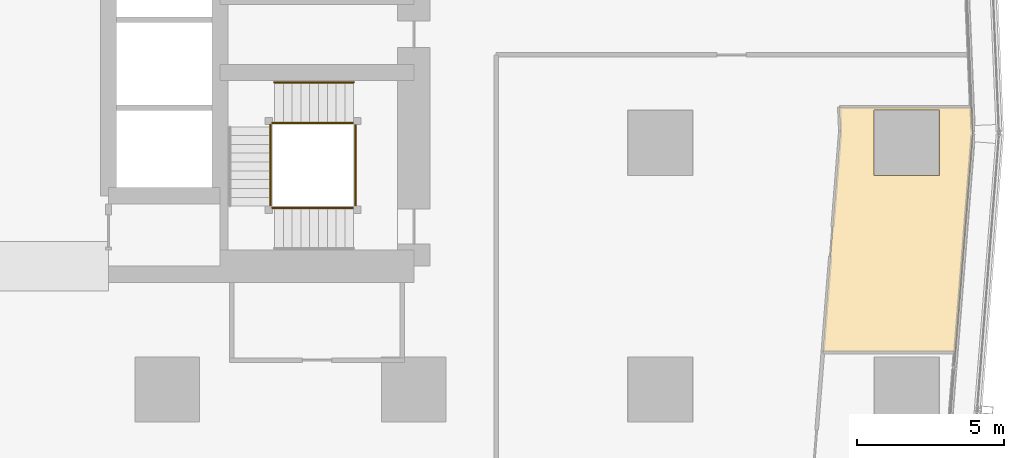
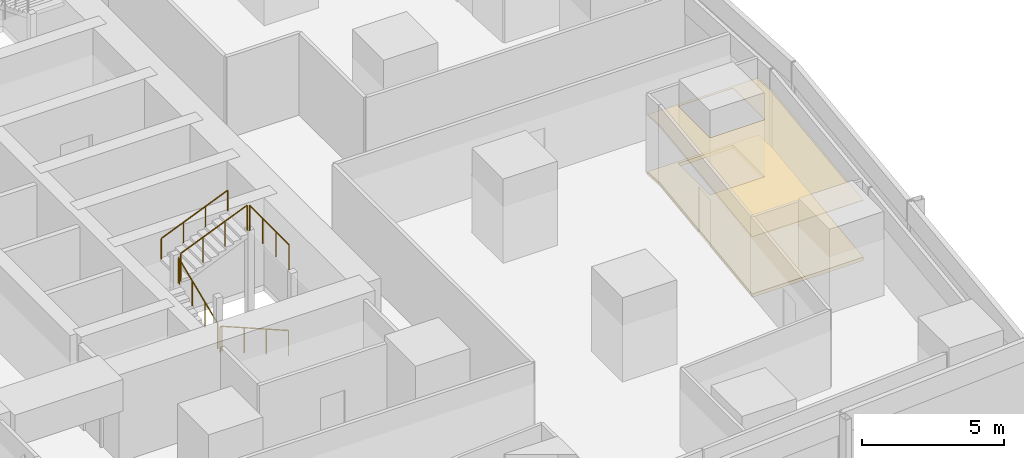
# One storey, part 40 of 45: 8 railings, 2 coverings.
"""IFC4 building model written with IfcOpenShell, lengths in metres."""

from ifc_helpers import new_model, si_unit, direction, frame, origin, origin_2d, place, context, subcontext, project, spatial, polyline, circle, outline, extrude, material, layer, layer_set, type_object, element, save


model = new_model("IFC4")

# Units and contexts
model_context = context("Model", 3, precision=1e-05, world=origin(), true_north=direction((0.0, 1.0)))
body_context = subcontext(model_context, "Body", "Model", "MODEL_VIEW")
ifc_project = project(units=[si_unit("LENGTHUNIT", "METRE"), si_unit("AREAUNIT", "SQUARE_METRE"), si_unit("VOLUMEUNIT", "CUBIC_METRE"), si_unit("PLANEANGLEUNIT", "RADIAN"), si_unit("MASSUNIT", "GRAM", prefix="KILO")], contexts=[model_context])

# Site, building, storey
site_placement = place(None, origin())
site = spatial("IfcSite", under=ifc_project, at=site_placement, CompositionType="ELEMENT")
building_placement = place(site_placement, origin())
building = spatial("IfcBuilding", under=site, at=building_placement, Name="Rekha Terrace Tower", CompositionType="ELEMENT")
storey_placement = place(building_placement, frame((0.0, 0.0, 32.89990234375)))
storey = spatial("IfcBuildingStorey", under=building, at=storey_placement, Name="L07", CompositionType="ELEMENT", Elevation=32.89990234375)

# Covering
ifc_material_1 = material(Name="Mineral fibre tile in exposed grid", Category="finish")
ifc_layer_1 = layer(ifc_material_1, 0.02001953125)
ifc_layer_set_1 = layer_set([ifc_layer_1], Name="Mineral fibre tile in exposed grid")
covering_type_1 = type_object("IfcCoveringType", Name="CL1 600x1200 office grid ceiling", PredefinedType="CEILING", material=ifc_layer_set_1)
covering_1_placement = place(storey_placement, frame((0.0, 0.0, 2.580078125)))
element("IfcCovering", 1, at=covering_1_placement, inside=storey, type_object=covering_type_1, Name="Ceiling L07-05", PredefinedType="CEILING", context=body_context, shape_type="SweptSolid", body=[
    extrude(outline(polyline([(64.929931640625, 25.60107421875), (64.333984375, 18.080078125), (68.847900390625, 18.080078125), (69.43798828125, 25.51904296875), (69.39892578125, 26.419921875), (64.89501953125, 26.419921875), (64.929931640625, 25.60107421875)]), holes=[polyline([(68.31494140625, 24.0849609375), (66.0849609375, 24.0849609375), (66.0849609375, 26.31494140625), (68.31494140625, 26.31494140625), (68.31494140625, 24.0849609375)])]), origin(), (0.0, 0.0, 1.0), 0.02001953125),
])

# Railings
ifc_material_2 = material(Name="Stainless steel balustrade", Category="steel")
railing_type_1 = type_object("IfcRailingType", Name="GR1 1100 stair guard", PredefinedType="GUARDRAIL", material=ifc_material_2)
railing_1_placement = place(storey_placement, frame((48.35009765625, 22.989990234375, 0.125)))
element("IfcRailing", 2, at=railing_1_placement, inside=storey, type_object=railing_type_1, Name="Guard ST3 L07 flight 1", PredefinedType="GUARDRAIL", context=body_context, shape_type="SweptSolid", body=[
    extrude(circle(Radius=0.02392578125, at=origin_2d()), frame((0.0, 0.0, 1.076171875), z_axis=(-0.923086799901, 0.0, 0.38459167938), x_axis=(0.0, -1.0, 0.0)), (0.0, 0.0, 1.0), 2.92529296875),
    extrude(circle(Radius=0.02099609375, at=origin_2d()), origin(), (0.0, 0.0, 1.0), 1.052001953125),
    extrude(circle(Radius=0.02099609375, at=origin_2d()), frame((-0.900146484375, 0.0, 0.375)), (0.0, 0.0, 1.0), 1.052001953125),
    extrude(circle(Radius=0.02099609375, at=origin_2d()), frame((-1.800048828125, 0.0, 0.75)), (0.0, 0.0, 1.0), 1.052001953125),
    extrude(circle(Radius=0.02099609375, at=origin_2d()), frame((-2.7001953125, 0.0, 1.125)), (0.0, 0.0, 1.0), 1.052001953125),
])
railing_2_placement = place(storey_placement, frame((45.514892578125, 23.050048828125, 1.375)))
element("IfcRailing", 3, at=railing_2_placement, inside=storey, type_object=railing_type_1, Name="Guard ST3 L07 flight 2", PredefinedType="GUARDRAIL", context=body_context, shape_type="SweptSolid", body=[
    extrude(circle(Radius=0.02392578125, at=origin_2d()), frame((0.0, 0.0, 1.076171875), z_axis=(0.0, 0.923074453586, 0.384621311341), x_axis=(-1.0, 0.0, 0.0)), (0.0, 0.0, 1.0), 2.925048828125),
    extrude(circle(Radius=0.02099609375, at=origin_2d()), origin(), (0.0, 0.0, 1.0), 1.052001953125),
    extrude(circle(Radius=0.02099609375, at=origin_2d()), frame((0.0, 0.89990234375, 0.375)), (0.0, 0.0, 1.0), 1.052001953125),
    extrude(circle(Radius=0.02099609375, at=origin_2d()), frame((0.0, 1.800048828125, 0.75)), (0.0, 0.0, 1.0), 1.052001953125),
    extrude(circle(Radius=0.02099609375, at=origin_2d()), frame((0.0, 2.699951171875, 1.125)), (0.0, 0.0, 1.0), 1.052001953125),
])
railing_3_placement = place(storey_placement, frame((45.64990234375, 25.885009765625, 2.625)))
element("IfcRailing", 4, at=railing_3_placement, inside=storey, type_object=railing_type_1, Name="Guard ST3 L07 flight 3", PredefinedType="GUARDRAIL", context=body_context, shape_type="SweptSolid", body=[
    extrude(circle(Radius=0.02392578125, at=origin_2d()), frame((0.0, 0.0, 1.076171875), z_axis=(0.923086799901, 0.0, 0.38459167938), x_axis=(0.0, 1.0, 0.0)), (0.0, 0.0, 1.0), 2.92529296875),
    extrude(circle(Radius=0.02099609375, at=origin_2d()), origin(), (0.0, 0.0, 1.0), 1.052001953125),
    extrude(circle(Radius=0.02099609375, at=origin_2d()), frame((0.900146484375, 0.0, 0.375)), (0.0, 0.0, 1.0), 1.052001953125),
    extrude(circle(Radius=0.02099609375, at=origin_2d()), frame((1.800048828125, 0.0, 0.75)), (0.0, 0.0, 1.0), 1.052001953125),
    extrude(circle(Radius=0.02099609375, at=origin_2d()), frame((2.7001953125, 0.0, 1.125)), (0.0, 0.0, 1.0), 1.052001953125),
])
railing_4_placement = place(storey_placement, frame((45.64990234375, 22.989990234375, 1.25)))
element("IfcRailing", 5, at=railing_4_placement, inside=storey, type_object=railing_type_1, Name="Guard ST3 L07 landing 1", PredefinedType="GUARDRAIL", context=body_context, shape_type="SweptSolid", body=[
    extrude(circle(Radius=0.02392578125, at=origin_2d()), frame((0.0, 0.0, 1.076171875), z_axis=(-1.0, 0.0, 0.0), x_axis=(0.0, -1.0, 0.0)), (0.0, 0.0, 1.0), 0.074951171875),
    extrude(circle(Radius=0.02099609375, at=origin_2d()), origin(), (0.0, 0.0, 1.0), 1.052001953125),
    extrude(circle(Radius=0.02099609375, at=origin_2d()), frame((-0.074951171875, 0.0, 0.0)), (0.0, 0.0, 1.0), 1.052001953125),
])
railing_5_placement = place(storey_placement, frame((45.514892578125, 25.75, 2.5)))
element("IfcRailing", 6, at=railing_5_placement, inside=storey, type_object=railing_type_1, Name="Guard ST3 L07 landing 2", PredefinedType="GUARDRAIL", context=body_context, shape_type="SweptSolid", body=[
    extrude(circle(Radius=0.02392578125, at=origin_2d()), frame((0.0, 0.0, 1.076171875), z_axis=(0.0, 1.0, 0.0), x_axis=(-1.0, 0.0, 0.0)), (0.0, 0.0, 1.0), 0.074951171875),
    extrude(circle(Radius=0.02099609375, at=origin_2d()), origin(), (0.0, 0.0, 1.0), 1.052001953125),
    extrude(circle(Radius=0.02099609375, at=origin_2d()), frame((0.0, 0.074951171875, 0.0)), (0.0, 0.0, 1.0), 1.052001953125),
])
railing_6_placement = place(storey_placement, frame((45.64990234375, 25.885009765625, 2.5)))
element("IfcRailing", 7, at=railing_6_placement, inside=storey, type_object=railing_type_1, Name="Guard ST3 L07 landing 3", PredefinedType="GUARDRAIL", context=body_context, shape_type="SweptSolid", body=[
    extrude(circle(Radius=0.02392578125, at=origin_2d()), frame((0.0, 0.0, 1.076171875), z_axis=(-1.0, 0.0, 0.0), x_axis=(0.0, -1.0, 0.0)), (0.0, 0.0, 1.0), 0.074951171875),
    extrude(circle(Radius=0.02099609375, at=origin_2d()), origin(), (0.0, 0.0, 1.0), 1.052001953125),
    extrude(circle(Radius=0.02099609375, at=origin_2d()), frame((-0.074951171875, 0.0, 0.0)), (0.0, 0.0, 1.0), 1.052001953125),
])
railing_7_placement = place(storey_placement, frame((48.409912109375, 23.050048828125, 3.75)))
element("IfcRailing", 8, at=railing_7_placement, inside=storey, type_object=railing_type_1, Name="Guard ST3 L07 landing 4", PredefinedType="GUARDRAIL", context=body_context, shape_type="SweptSolid", body=[
    extrude(circle(Radius=0.02392578125, at=origin_2d()), frame((0.0, 0.0, 1.076171875), z_axis=(0.0, 1.0, 0.0), x_axis=(-1.0, 0.0, 0.0)), (0.0, 0.0, 1.0), 2.77490234375),
    extrude(circle(Radius=0.02099609375, at=origin_2d()), origin(), (0.0, 0.0, 1.0), 1.052001953125),
    extrude(circle(Radius=0.02099609375, at=origin_2d()), frame((0.0, 0.925048828125, 0.0)), (0.0, 0.0, 1.0), 1.052001953125),
    extrude(circle(Radius=0.02099609375, at=origin_2d()), frame((0.0, 1.849853515625, 0.0)), (0.0, 0.0, 1.0), 1.052001953125),
    extrude(circle(Radius=0.02099609375, at=origin_2d()), frame((0.0, 2.77490234375, 0.0)), (0.0, 0.0, 1.0), 1.052001953125),
])
ifc_material_3 = material(Name="Stainless steel tube", Category="steel")
railing_type_2 = type_object("IfcRailingType", Name="HR1 900 stair handrail", PredefinedType="HANDRAIL", material=ifc_material_3)
railing_8_placement = place(storey_placement, frame((45.64990234375, 27.264892578125, 2.625)))
element("IfcRailing", 9, at=railing_8_placement, inside=storey, type_object=railing_type_2, Name="Handrail ST3 L07 flight 3", PredefinedType="HANDRAIL", context=body_context, shape_type="SweptSolid", body=[
    extrude(circle(Radius=0.02392578125, at=origin_2d()), frame((0.0, 0.0, 0.8759765625), z_axis=(0.923086799901, 0.0, 0.38459167938), x_axis=(0.0, 1.0, 0.0)), (0.0, 0.0, 1.0), 2.92529296875),
    extrude(circle(Radius=0.02099609375, at=origin_2d()), origin(), (0.0, 0.0, 1.0), 0.851806640625),
    extrude(circle(Radius=0.02099609375, at=origin_2d()), frame((0.900146484375, 0.0, 0.375)), (0.0, 0.0, 1.0), 0.851806640625),
    extrude(circle(Radius=0.02099609375, at=origin_2d()), frame((1.800048828125, 0.0, 0.75)), (0.0, 0.0, 1.0), 0.851806640625),
    extrude(circle(Radius=0.02099609375, at=origin_2d()), frame((2.7001953125, 0.0, 1.125)), (0.0, 0.0, 1.0), 0.851806640625),
])

# Covering
ifc_material_4 = material(Name="Calcium sulphate panels on steel pedestals", Category="steel")
ifc_layer_2 = layer(ifc_material_4, 0.14990234375)
ifc_layer_set_2 = layer_set([ifc_layer_2], Name="Calcium sulphate panels on steel pedestals")
covering_type_2 = type_object("IfcCoveringType", Name="RF1 150 raised access floor", PredefinedType="FLOORING", material=ifc_layer_set_2)
covering_2_placement = place(storey_placement, origin())
element("IfcCovering", 10, at=covering_2_placement, inside=storey, type_object=covering_type_2, Name="Raised floor L07-05", PredefinedType="FLOORING", context=body_context, shape_type="SweptSolid", body=[
    extrude(outline(polyline([(64.929931640625, 25.60107421875), (64.333984375, 18.080078125), (68.847900390625, 18.080078125), (69.43798828125, 25.51904296875), (69.39892578125, 26.419921875), (64.89501953125, 26.419921875), (64.929931640625, 25.60107421875)]), holes=[polyline([(68.31494140625, 24.0849609375), (66.0849609375, 24.0849609375), (66.0849609375, 26.31494140625), (68.31494140625, 26.31494140625), (68.31494140625, 24.0849609375)])]), origin(), (0.0, 0.0, 1.0), 0.150146484375),
])

save(model, "model.ifc")
